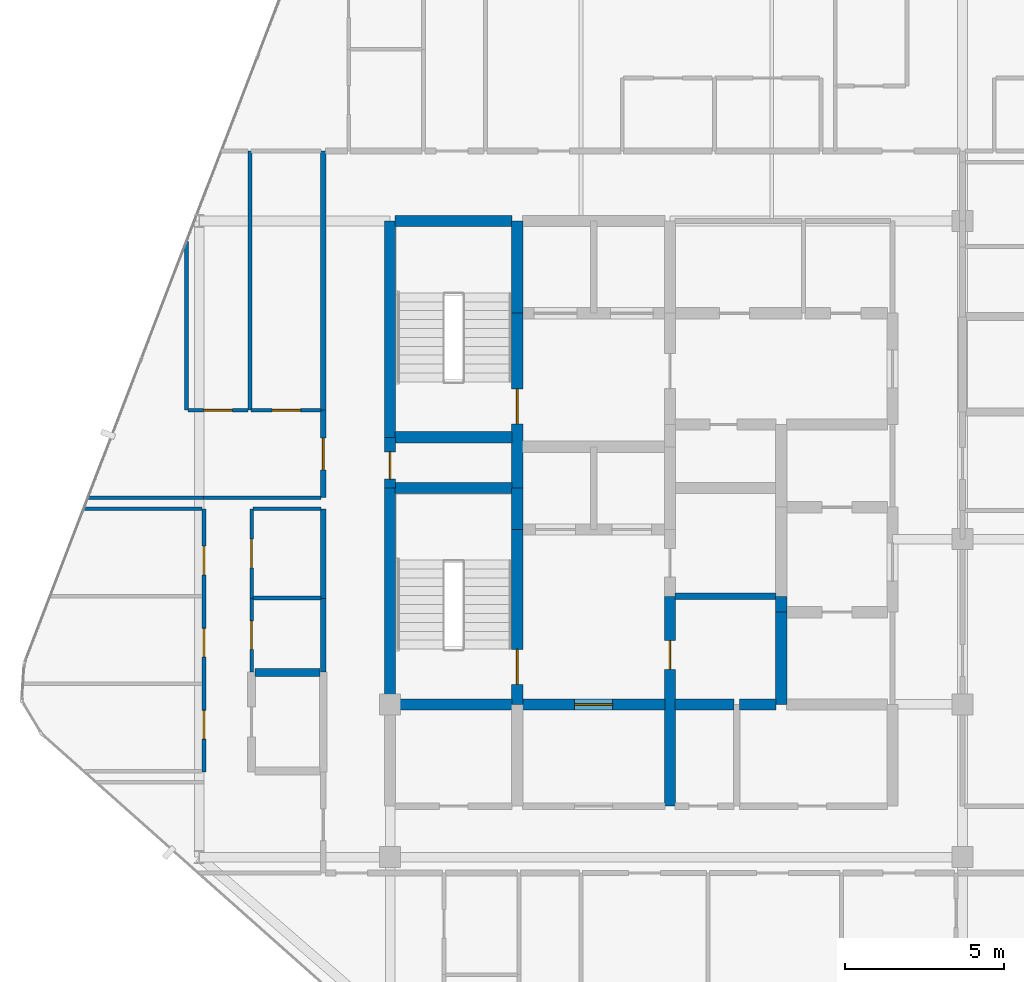
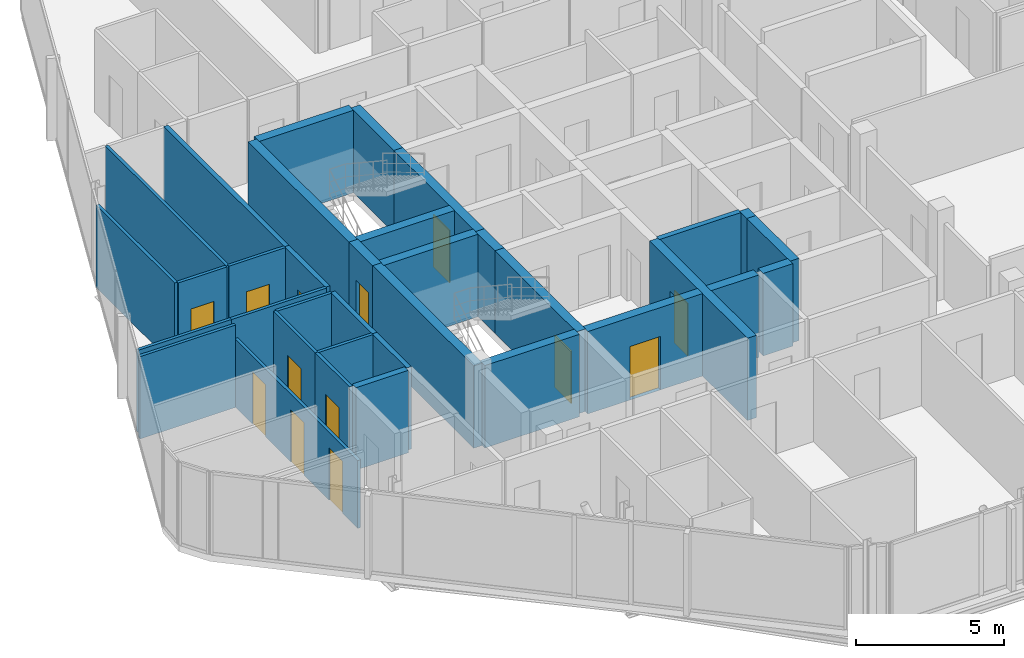
# One storey, part 23 of 28: 35 walls, 13 doors, 13 openings.
"""IFC4 building model written with IfcOpenShell, lengths in metres."""

from ifc_helpers import new_model, si_unit, direction, frame, frame_2d, origin, place, context, subcontext, project, spatial, rectangle, extrude, material, layer, layer_set, type_object, element, fill, save


model = new_model("IFC4")

# Units and contexts
model_context = context("Model", 3, precision=1e-05, world=origin(), true_north=direction((0.0, 1.0)))
body_context = subcontext(model_context, "Body", "Model", "MODEL_VIEW")
ifc_project = project(units=[si_unit("LENGTHUNIT", "METRE"), si_unit("AREAUNIT", "SQUARE_METRE"), si_unit("VOLUMEUNIT", "CUBIC_METRE"), si_unit("PLANEANGLEUNIT", "RADIAN"), si_unit("MASSUNIT", "GRAM", prefix="KILO")], contexts=[model_context])

# Site, building, storey
site_placement = place(None, origin())
site = spatial("IfcSite", under=ifc_project, at=site_placement, CompositionType="ELEMENT")
building_placement = place(site_placement, origin())
building = spatial("IfcBuilding", under=site, at=building_placement, Name="Keshet Zoharim Tower", CompositionType="ELEMENT")
storey_placement = place(building_placement, frame((0.0, 0.0, 303.60009765625)))
storey = spatial("IfcBuildingStorey", under=building, at=storey_placement, Name="L76", CompositionType="ELEMENT", Elevation=303.60009765625)

# Wall
ifc_material_1 = material(Name="Concrete C60/75", Category="concrete")
ifc_layer_1 = layer(ifc_material_1, 0.35009765625)
ifc_layer_set_1 = layer_set([ifc_layer_1], Name="Concrete C60/75")
wall_type_1 = type_object("IfcWallType", Name="WL-CORE-350", PredefinedType="SHEAR", material=ifc_layer_set_1)
wall_1_placement = place(storey_placement, frame((15.0, 22.699951171875, 0.0), z_axis=(0.0, 0.0, 1.0), x_axis=(0.0, 1.0, 0.0)))
element("IfcWall", 1, at=wall_1_placement, inside=storey, type_object=wall_type_1, Name="L76 Core Shear Wall 016", PredefinedType="SHEAR", context=body_context, shape_type="SweptSolid", body=[
    extrude(rectangle(XDim=6.800048828125, YDim=0.35009765625, at=frame_2d((3.39990234375, 0.0))), origin(), (0.0, 0.0, 1.0), 3.389892578125),
])

# Wall, opening, door
wall_2_placement = place(storey_placement, frame((15.0, 29.5, 0.0), z_axis=(0.0, 0.0, 1.0), x_axis=(0.0, 1.0, 0.0)))
wall_2 = element("IfcWall", 2, at=wall_2_placement, inside=storey, type_object=wall_type_1, Name="L76 Core Shear Wall 017", PredefinedType="SHEAR", context=body_context, shape_type="SweptSolid", body=[
    extrude(rectangle(XDim=1.60009765625, YDim=0.35009765625, at=frame_2d((0.800048828125, 0.0))), origin(), (0.0, 0.0, 1.0), 3.389892578125),
])
opening_1_placement = place(wall_2_placement, frame((0.287109375, 0.0, 0.0)))
opening_1 = element("IfcOpeningElement", 3, at=opening_1_placement, cuts=wall_2, Name="Opening D-RS85", PredefinedType="OPENING", context=body_context, shape_type="SweptSolid", body=[
    extrude(rectangle(XDim=0.85009765625, YDim=2.10009765625, at=frame_2d((0.425048828125, 1.050048828125))), frame((0.0, 0.18505859375, 0.0), z_axis=(0.0, -1.0, 0.0), x_axis=(1.0, 0.0, 0.0)), (0.0, 0.0, 1.0), 0.3701171875),
])
ifc_material_2 = material(Name="Hardwood Timber", Category="wood")
door_type_1 = type_object("IfcDoorType", Name="DR-RIS-085", OperationType="NOTDEFINED", PredefinedType="DOOR", material=ifc_material_2)
door_1_placement = place(opening_1_placement, origin())
door_1 = element("IfcDoor", 4, at=door_1_placement, inside=storey, type_object=door_type_1, Name="L76 Electrical Riser Access Cupboard Door", OperationType="SINGLE_SWING_LEFT", OverallHeight=2.10009765625, OverallWidth=0.85009765625, PredefinedType="DOOR", context=body_context, shape_type="SweptSolid", body=[
    extrude(rectangle(XDim=0.85009765625, YDim=2.10009765625, at=frame_2d((0.425048828125, 1.050048828125))), frame((0.0, 0.02490234375, 0.0), z_axis=(0.0, -1.0, 0.0), x_axis=(1.0, 0.0, 0.0)), (0.0, 0.0, 1.0), 0.050048828125),
])
fill(opening_1, door_1)

# Wall
wall_3_placement = place(storey_placement, frame((15.0, 31.10009765625, 0.0), z_axis=(0.0, 0.0, 1.0), x_axis=(0.0, 1.0, 0.0)))
element("IfcWall", 5, at=wall_3_placement, inside=storey, type_object=wall_type_1, Name="L76 Core Shear Wall 018", PredefinedType="SHEAR", context=body_context, shape_type="SweptSolid", body=[
    extrude(rectangle(XDim=6.7998046875, YDim=0.35009765625, at=frame_2d((3.39990234375, 0.0))), origin(), (0.0, 0.0, 1.0), 3.389892578125),
])

# Wall, opening, door
wall_4_placement = place(storey_placement, frame((19.0, 22.699951171875, 0.0), z_axis=(0.0, 0.0, 1.0), x_axis=(0.0, 1.0, 0.0)))
wall_4 = element("IfcWall", 6, at=wall_4_placement, inside=storey, type_object=wall_type_1, Name="L76 Core Shear Wall 025", PredefinedType="SHEAR", context=body_context, shape_type="SweptSolid", body=[
    extrude(rectangle(XDim=5.5, YDim=0.35009765625, at=frame_2d((2.75, 0.0))), origin(), (0.0, 0.0, 1.0), 3.389892578125),
])
opening_2_placement = place(wall_4_placement, frame((0.631103515625, 0.0, 0.0)))
opening_2 = element("IfcOpeningElement", 7, at=opening_2_placement, cuts=wall_4, Name="Opening D-F611", PredefinedType="OPENING", context=body_context, shape_type="SweptSolid", body=[
    extrude(rectangle(XDim=1.10009765625, YDim=2.14990234375, at=frame_2d((0.550048828125, 1.074951171875))), frame((0.0, 0.18505859375, 0.0), z_axis=(0.0, -1.0, 0.0), x_axis=(1.0, 0.0, 0.0)), (0.0, 0.0, 1.0), 0.3701171875),
])
door_type_2 = type_object("IfcDoorType", Name="DR-FD60-110", OperationType="NOTDEFINED", PredefinedType="DOOR", material=ifc_material_2)
door_2_placement = place(opening_2_placement, origin())
door_2 = element("IfcDoor", 8, at=door_2_placement, inside=storey, type_object=door_type_2, Name="L76 Exit Stair ST-01 Fire Door", OperationType="SINGLE_SWING_LEFT", OverallHeight=2.14990234375, OverallWidth=1.10009765625, PredefinedType="DOOR", context=body_context, shape_type="SweptSolid", body=[
    extrude(rectangle(XDim=1.10009765625, YDim=2.14990234375, at=frame_2d((0.550048828125, 1.074951171875))), frame((0.0, 0.02490234375, 0.0), z_axis=(0.0, -1.0, 0.0), x_axis=(1.0, 0.0, 0.0)), (0.0, 0.0, 1.0), 0.050048828125),
])
fill(opening_2, door_2)

# Wall
wall_5_placement = place(storey_placement, frame((19.0, 28.199951171875, 0.0), z_axis=(0.0, 0.0, 1.0), x_axis=(0.0, 1.0, 0.0)))
element("IfcWall", 9, at=wall_5_placement, inside=storey, type_object=wall_type_1, Name="L76 Core Shear Wall 026", PredefinedType="SHEAR", context=body_context, shape_type="SweptSolid", body=[
    extrude(rectangle(XDim=1.300048828125, YDim=0.35009765625, at=frame_2d((0.64990234375, 0.0))), origin(), (0.0, 0.0, 1.0), 3.389892578125),
])

# Wall, opening, door
wall_6_placement = place(storey_placement, frame((19.0, 29.5, 0.0), z_axis=(0.0, 0.0, 1.0), x_axis=(0.0, 1.0, 0.0)))
wall_6 = element("IfcWall", 10, at=wall_6_placement, inside=storey, type_object=wall_type_1, Name="L76 Core Shear Wall 027", PredefinedType="SHEAR", context=body_context, shape_type="SweptSolid", body=[
    extrude(rectangle(XDim=5.5, YDim=0.35009765625, at=frame_2d((2.75, 0.0))), origin(), (0.0, 0.0, 1.0), 3.389892578125),
])
opening_3_placement = place(wall_6_placement, frame((2.02490234375, 0.0, 0.0)))
opening_3 = element("IfcOpeningElement", 11, at=opening_3_placement, cuts=wall_6, Name="Opening D-F611", PredefinedType="OPENING", context=body_context, shape_type="SweptSolid", body=[
    extrude(rectangle(XDim=1.10009765625, YDim=2.14990234375, at=frame_2d((0.550048828125, 1.074951171875))), frame((0.0, 0.18505859375, 0.0), z_axis=(0.0, -1.0, 0.0), x_axis=(1.0, 0.0, 0.0)), (0.0, 0.0, 1.0), 0.3701171875),
])
door_3_placement = place(opening_3_placement, origin())
door_3 = element("IfcDoor", 12, at=door_3_placement, inside=storey, type_object=door_type_2, Name="L76 Exit Stair ST-02 Fire Door", OperationType="SINGLE_SWING_RIGHT", OverallHeight=2.14990234375, OverallWidth=1.10009765625, PredefinedType="DOOR", context=body_context, shape_type="SweptSolid", body=[
    extrude(rectangle(XDim=1.10009765625, YDim=2.14990234375, at=frame_2d((0.550048828125, 1.074951171875))), frame((0.0, 0.02490234375, 0.0), z_axis=(0.0, -1.0, 0.0), x_axis=(1.0, 0.0, 0.0)), (0.0, 0.0, 1.0), 0.050048828125),
])
fill(opening_3, door_3)

# Wall
wall_7_placement = place(storey_placement, frame((19.0, 35.0, 0.0), z_axis=(0.0, 0.0, 1.0), x_axis=(0.0, 1.0, 0.0)))
element("IfcWall", 13, at=wall_7_placement, inside=storey, type_object=wall_type_1, Name="L76 Core Shear Wall 028", PredefinedType="SHEAR", context=body_context, shape_type="SweptSolid", body=[
    extrude(rectangle(XDim=2.89990234375, YDim=0.35009765625, at=frame_2d((1.449951171875, 0.0))), origin(), (0.0, 0.0, 1.0), 3.389892578125),
])

# Wall, opening, door
wall_8_placement = place(storey_placement, frame((23.800048828125, 19.5, 0.0), z_axis=(0.0, 0.0, 1.0), x_axis=(0.0, 1.0, 0.0)))
wall_8 = element("IfcWall", 14, at=wall_8_placement, inside=storey, type_object=wall_type_1, Name="L76 Core Shear Wall 038", PredefinedType="SHEAR", context=body_context, shape_type="SweptSolid", body=[
    extrude(rectangle(XDim=6.60009765625, YDim=0.35009765625, at=frame_2d((3.300048828125, 0.0))), origin(), (0.0, 0.0, 1.0), 3.389892578125),
])
opening_4_placement = place(wall_8_placement, frame((4.303955078125, 0.0, 0.0)))
opening_4 = element("IfcOpeningElement", 15, at=opening_4_placement, cuts=wall_8, Name="Opening D-F690", PredefinedType="OPENING", context=body_context, shape_type="SweptSolid", body=[
    extrude(rectangle(XDim=0.89990234375, YDim=2.14990234375, at=frame_2d((0.449951171875, 1.074951171875))), frame((0.0, 0.18505859375, 0.0), z_axis=(0.0, -1.0, 0.0), x_axis=(1.0, 0.0, 0.0)), (0.0, 0.0, 1.0), 0.3701171875),
])
door_type_3 = type_object("IfcDoorType", Name="DR-FD60-090", OperationType="NOTDEFINED", PredefinedType="DOOR", material=ifc_material_2)
door_4_placement = place(opening_4_placement, origin())
door_4 = element("IfcDoor", 16, at=door_4_placement, inside=storey, type_object=door_type_3, Name="L76 Core Linen Store Door", OperationType="SINGLE_SWING_RIGHT", OverallHeight=2.14990234375, OverallWidth=0.89990234375, PredefinedType="DOOR", context=body_context, shape_type="SweptSolid", body=[
    extrude(rectangle(XDim=0.89990234375, YDim=2.14990234375, at=frame_2d((0.449951171875, 1.074951171875))), frame((0.0, 0.02490234375, 0.0), z_axis=(0.0, -1.0, 0.0), x_axis=(1.0, 0.0, 0.0)), (0.0, 0.0, 1.0), 0.050048828125),
])
fill(opening_4, door_4)

# Walls
wall_9_placement = place(storey_placement, frame((27.300048828125, 22.699951171875, 0.0), z_axis=(0.0, 0.0, 1.0), x_axis=(0.0, 1.0, 0.0)))
element("IfcWall", 17, at=wall_9_placement, inside=storey, type_object=wall_type_1, Name="L76 Core Shear Wall 048", PredefinedType="SHEAR", context=body_context, shape_type="SweptSolid", body=[
    extrude(rectangle(XDim=2.900146484375, YDim=0.35009765625, at=frame_2d((1.4501953125, 0.0))), origin(), (0.0, 0.0, 1.0), 3.389892578125),
])
wall_10_placement = place(storey_placement, frame((27.300048828125, 25.60009765625, 0.0), z_axis=(0.0, 0.0, 1.0), x_axis=(0.0, 1.0, 0.0)))
element("IfcWall", 18, at=wall_10_placement, inside=storey, type_object=wall_type_1, Name="L76 Core Shear Wall 049", PredefinedType="SHEAR", context=body_context, shape_type="SweptSolid", body=[
    extrude(rectangle(XDim=0.5, YDim=0.35009765625, at=frame_2d((0.25, 0.0))), origin(), (0.0, 0.0, 1.0), 3.389892578125),
])
wall_11_placement = place(storey_placement, frame((15.159912109375, 22.699951171875, 0.0), z_axis=(0.0, 0.0, 1.0), x_axis=(1.0, 0.0, 0.0)))
element("IfcWall", 19, at=wall_11_placement, inside=storey, type_object=wall_type_1, Name="L76 Core Shear Wall 119", PredefinedType="SHEAR", context=body_context, shape_type="SweptSolid", body=[
    extrude(rectangle(XDim=3.68017578125, YDim=0.35009765625, at=frame_2d((1.840087890625, 0.0))), origin(), (0.0, 0.0, 1.0), 3.389892578125),
])

# Wall, opening, door
wall_12_placement = place(storey_placement, frame((19.159912109375, 22.699951171875, 0.0), z_axis=(0.0, 0.0, 1.0), x_axis=(1.0, 0.0, 0.0)))
wall_12 = element("IfcWall", 20, at=wall_12_placement, inside=storey, type_object=wall_type_1, Name="L76 Core Shear Wall 120", PredefinedType="SHEAR", context=body_context, shape_type="SweptSolid", body=[
    extrude(rectangle(XDim=4.47998046875, YDim=0.35009765625, at=frame_2d((2.239990234375, 0.0))), origin(), (0.0, 0.0, 1.0), 3.389892578125),
])
opening_5_placement = place(wall_12_placement, frame((1.639892578125, 0.0, 0.0)))
opening_5 = element("IfcOpeningElement", 21, at=opening_5_placement, cuts=wall_12, Name="Opening D-F612", PredefinedType="OPENING", context=body_context, shape_type="SweptSolid", body=[
    extrude(rectangle(XDim=1.199951171875, YDim=2.199951171875, at=frame_2d((0.60009765625, 1.10009765625))), frame((0.0, 0.18505859375, 0.0), z_axis=(0.0, -1.0, 0.0), x_axis=(1.0, 0.0, 0.0)), (0.0, 0.0, 1.0), 0.3701171875),
])
door_type_4 = type_object("IfcDoorType", Name="DR-FD60-120", OperationType="NOTDEFINED", PredefinedType="DOOR", material=ifc_material_2)
door_5_placement = place(opening_5_placement, origin())
door_5 = element("IfcDoor", 22, at=door_5_placement, inside=storey, type_object=door_type_4, Name="L76 South Core Lobby Fire Door", OperationType="SINGLE_SWING_RIGHT", OverallHeight=2.199951171875, OverallWidth=1.199951171875, PredefinedType="DOOR", context=body_context, shape_type="SweptSolid", body=[
    extrude(rectangle(XDim=1.199951171875, YDim=2.199951171875, at=frame_2d((0.60009765625, 1.10009765625))), frame((0.0, 0.02490234375, 0.0), z_axis=(0.0, -1.0, 0.0), x_axis=(1.0, 0.0, 0.0)), (0.0, 0.0, 1.0), 0.050048828125),
])
fill(opening_5, door_5)

# Walls
wall_13_placement = place(storey_placement, frame((23.9599609375, 22.699951171875, 0.0), z_axis=(0.0, 0.0, 1.0), x_axis=(1.0, 0.0, 0.0)))
element("IfcWall", 23, at=wall_13_placement, inside=storey, type_object=wall_type_1, Name="L76 Core Shear Wall 121", PredefinedType="SHEAR", context=body_context, shape_type="SweptSolid", body=[
    extrude(rectangle(XDim=1.85498046875, YDim=0.35009765625, at=frame_2d((0.927490234375, 0.0))), origin(), (0.0, 0.0, 1.0), 3.389892578125),
])
wall_14_placement = place(storey_placement, frame((25.985107421875, 22.699951171875, 0.0), z_axis=(0.0, 0.0, 1.0), x_axis=(1.0, 0.0, 0.0)))
element("IfcWall", 24, at=wall_14_placement, inside=storey, type_object=wall_type_1, Name="L76 Core Shear Wall 122", PredefinedType="SHEAR", context=body_context, shape_type="SweptSolid", body=[
    extrude(rectangle(XDim=1.15478515625, YDim=0.35009765625, at=frame_2d((0.577392578125, 0.0))), origin(), (0.0, 0.0, 1.0), 3.389892578125),
])
for number, where, z_axis, x_axis, name in (
    (25, (15.159912109375, 29.5, 0.0), (0.0, 0.0, 1.0), (1.0, 0.0, 0.0), "L76 Core Shear Wall 137"),
    (26, (15.159912109375, 31.10009765625, 0.0), (0.0, 0.0, 1.0), (1.0, 0.0, 0.0), "L76 Core Shear Wall 140"),
    (27, (15.159912109375, 37.89990234375, 0.0), (0.0, 0.0, 1.0), (1.0, 0.0, 0.0), "L76 Core Shear Wall 154"),
):
    element("IfcWall", number, at=place(storey_placement, frame(where, z_axis=z_axis, x_axis=x_axis)), inside=storey, type_object=wall_type_1, Name=name, PredefinedType="SHEAR", context=body_context, shape_type="SweptSolid", body=[
        extrude(rectangle(XDim=3.68017578125, YDim=0.35009765625, at=frame_2d((1.840087890625, 0.0))), origin(), (0.0, 0.0, 1.0), 3.389892578125),
    ])
ifc_material_3 = material(Name="Gypsum Plasterboard", Category="gypsum")
ifc_layer_2 = layer(ifc_material_3, 0.179931640625)
ifc_layer_set_2 = layer_set([ifc_layer_2], Name="Gypsum Plasterboard")
wall_type_2 = type_object("IfcWallType", Name="WL-CORR-180", PredefinedType="STANDARD", material=ifc_layer_set_2)
wall_15_placement = place(storey_placement, frame((12.89990234375, 23.721923828125, 0.0), z_axis=(0.0, 0.0, 1.0), x_axis=(0.0, 1.0, 0.0)))
element("IfcWall", 28, at=wall_15_placement, inside=storey, type_object=wall_type_2, Name="L76 Interior Wall 009", PredefinedType="STANDARD", context=body_context, shape_type="SweptSolid", body=[
    extrude(rectangle(XDim=2.316162109375, YDim=0.179931640625, at=frame_2d((1.158203125, 0.0))), origin(), (0.0, 0.0, 1.0), 3.389892578125),
])
wall_16_placement = place(storey_placement, frame((12.89990234375, 26.0380859375, 0.0), z_axis=(0.0, 0.0, 1.0), x_axis=(0.0, 1.0, 0.0)))
element("IfcWall", 29, at=wall_16_placement, inside=storey, type_object=wall_type_2, Name="L76 Interior Wall 010", PredefinedType="STANDARD", context=body_context, shape_type="SweptSolid", body=[
    extrude(rectangle(XDim=2.81201171875, YDim=0.179931640625, at=frame_2d((1.406005859375, 0.0))), origin(), (0.0, 0.0, 1.0), 3.389892578125),
])

# Wall, opening, door
wall_17_placement = place(storey_placement, frame((12.89990234375, 29.199951171875, 0.0), z_axis=(0.0, 0.0, 1.0), x_axis=(0.0, 1.0, 0.0)))
wall_17 = element("IfcWall", 30, at=wall_17_placement, inside=storey, type_object=wall_type_2, Name="L76 Interior Wall 011", PredefinedType="STANDARD", context=body_context, shape_type="SweptSolid", body=[
    extrude(rectangle(XDim=2.75, YDim=0.179931640625, at=frame_2d((1.375, 0.0))), origin(), (0.0, 0.0, 1.0), 3.389892578125),
])
opening_6_placement = place(wall_17_placement, frame((0.875, 0.0, 0.0)))
opening_6 = element("IfcOpeningElement", 31, at=opening_6_placement, cuts=wall_17, Name="Opening D-F310", PredefinedType="OPENING", context=body_context, shape_type="SweptSolid", body=[
    extrude(rectangle(XDim=1.0, YDim=2.14990234375, at=frame_2d((0.5, 1.074951171875))), frame((0.0, 0.10009765625, 0.0), z_axis=(0.0, -1.0, 0.0), x_axis=(1.0, 0.0, 0.0)), (0.0, 0.0, 1.0), 0.199951171875),
])
door_type_5 = type_object("IfcDoorType", Name="DR-FD30-100", OperationType="NOTDEFINED", PredefinedType="DOOR", material=ifc_material_2)
door_6_placement = place(opening_6_placement, origin())
door_6 = element("IfcDoor", 32, at=door_6_placement, inside=storey, type_object=door_type_5, Name="Apartment 7608 Entrance Door", OperationType="SINGLE_SWING_RIGHT", OverallHeight=2.14990234375, OverallWidth=1.0, PredefinedType="DOOR", context=body_context, shape_type="SweptSolid", body=[
    extrude(rectangle(XDim=1.0, YDim=2.14990234375, at=frame_2d((0.5, 1.074951171875))), frame((0.0, 0.02490234375, 0.0), z_axis=(0.0, -1.0, 0.0), x_axis=(1.0, 0.0, 0.0)), (0.0, 0.0, 1.0), 0.050048828125),
])
fill(opening_6, door_6)

# Walls
wall_18_placement = place(storey_placement, frame((12.89990234375, 31.949951171875, 0.0), z_axis=(0.0, 0.0, 1.0), x_axis=(0.0, 1.0, 0.0)))
element("IfcWall", 33, at=wall_18_placement, inside=storey, type_object=wall_type_2, Name="L76 Interior Wall 012", PredefinedType="STANDARD", context=body_context, shape_type="SweptSolid", body=[
    extrude(rectangle(XDim=8.150146484375, YDim=0.179931640625, at=frame_2d((4.0751953125, 0.0))), origin(), (0.0, 0.0, 1.0), 3.389892578125),
])
ifc_material_4 = material(Name="Concrete C50/60", Category="concrete")
ifc_layer_3 = layer(ifc_material_4, 0.199951171875)
ifc_layer_set_3 = layer_set([ifc_layer_3], Name="Concrete C50/60")
wall_type_3 = type_object("IfcWallType", Name="WL-FIRE-200", PredefinedType="STANDARD", material=ifc_layer_set_3)
wall_19_placement = place(storey_placement, frame((23.9599609375, 26.10009765625, 0.0), z_axis=(0.0, 0.0, 1.0), x_axis=(1.0, 0.0, 0.0)))
element("IfcWall", 34, at=wall_19_placement, inside=storey, type_object=wall_type_3, Name="L76 Interior Wall 129", PredefinedType="STANDARD", context=body_context, shape_type="SweptSolid", body=[
    extrude(rectangle(XDim=3.179931640625, YDim=0.199951171875, at=frame_2d((1.58984375, 0.0))), origin(), (0.0, 0.0, 1.0), 3.389892578125),
])
ifc_layer_4 = layer(ifc_material_4, 0.25)
ifc_layer_set_4 = layer_set([ifc_layer_4], Name="Concrete C50/60")
wall_type_4 = type_object("IfcWallType", Name="WL-MAMAD-250", PredefinedType="STANDARD", material=ifc_layer_set_4)
wall_20_placement = place(storey_placement, frame((10.760009765625, 23.699951171875, 0.0), z_axis=(0.0, 0.0, 1.0), x_axis=(1.0, 0.0, 0.0)))
element("IfcWall", 35, at=wall_20_placement, inside=storey, type_object=wall_type_4, Name="L76 Interior Wall 125", PredefinedType="STANDARD", context=body_context, shape_type="SweptSolid", body=[
    extrude(rectangle(XDim=2.030029296875, YDim=0.25, at=frame_2d((1.01513671875, 0.0))), origin(), (0.0, 0.0, 1.0), 3.389892578125),
])
ifc_layer_5 = layer(ifc_material_3, 0.1201171875)
ifc_layer_set_5 = layer_set([ifc_layer_5], Name="Gypsum Plasterboard")
wall_type_5 = type_object("IfcWallType", Name="WL-PART-120", PredefinedType="PARTITIONING", material=ifc_layer_set_5)
wall_21_placement = place(storey_placement, frame((8.60009765625, 31.949951171875, 0.0), z_axis=(0.0, 0.0, 1.0), x_axis=(0.0, 1.0, 0.0)))
element("IfcWall", 36, at=wall_21_placement, inside=storey, type_object=wall_type_5, Name="L76 Interior Wall 001", PredefinedType="PARTITIONING", context=body_context, shape_type="SweptSolid", body=[
    extrude(rectangle(XDim=5.300048828125, YDim=0.1201171875, at=frame_2d((2.64990234375, 0.0))), origin(), (0.0, 0.0, 1.0), 3.389892578125),
])

# Wall, openings, doors
wall_22_placement = place(storey_placement, frame((9.14990234375, 20.580078125, 0.0), z_axis=(0.0, 0.0, 1.0), x_axis=(0.0, 1.0, 0.0)))
wall_22 = element("IfcWall", 37, at=wall_22_placement, inside=storey, type_object=wall_type_5, Name="L76 Interior Wall 002", PredefinedType="PARTITIONING", context=body_context, shape_type="SweptSolid", body=[
    extrude(rectangle(XDim=8.27001953125, YDim=0.1201171875, at=frame_2d((4.135009765625, 0.0))), origin(), (0.0, 0.0, 1.0), 2.789794921875),
])
opening_7_placement = place(wall_22_placement, frame((1.031005859375, 0.0, 0.0)))
opening_7 = element("IfcOpeningElement", 38, at=opening_7_placement, cuts=wall_22, Name="Opening D-IN90", PredefinedType="OPENING", context=body_context, shape_type="SweptSolid", body=[
    extrude(rectangle(XDim=0.89990234375, YDim=2.14990234375, at=frame_2d((0.449951171875, 1.074951171875))), frame((0.0, 0.070068359375, 0.0), z_axis=(0.0, -1.0, 0.0), x_axis=(1.0, 0.0, 0.0)), (0.0, 0.0, 1.0), 0.14013671875),
])
opening_8_placement = place(wall_22_placement, frame((3.611083984375, 0.0, 0.0)))
opening_8 = element("IfcOpeningElement", 39, at=opening_8_placement, cuts=wall_22, Name="Opening D-IN90", PredefinedType="OPENING", context=body_context, shape_type="SweptSolid", body=[
    extrude(rectangle(XDim=0.89990234375, YDim=2.14990234375, at=frame_2d((0.449951171875, 1.074951171875))), frame((0.0, 0.070068359375, 0.0), z_axis=(0.0, -1.0, 0.0), x_axis=(1.0, 0.0, 0.0)), (0.0, 0.0, 1.0), 0.14013671875),
])
opening_9_placement = place(wall_22_placement, frame((6.194091796875, 0.0, 0.0)))
opening_9 = element("IfcOpeningElement", 40, at=opening_9_placement, cuts=wall_22, Name="Opening D-IN90", PredefinedType="OPENING", context=body_context, shape_type="SweptSolid", body=[
    extrude(rectangle(XDim=0.89990234375, YDim=2.14990234375, at=frame_2d((0.449951171875, 1.074951171875))), frame((0.0, 0.070068359375, 0.0), z_axis=(0.0, -1.0, 0.0), x_axis=(1.0, 0.0, 0.0)), (0.0, 0.0, 1.0), 0.14013671875),
])
door_type_6 = type_object("IfcDoorType", Name="DR-INT-090", OperationType="NOTDEFINED", PredefinedType="DOOR", material=ifc_material_2)
door_7_placement = place(opening_7_placement, origin())
door_7 = element("IfcDoor", 41, at=door_7_placement, inside=storey, type_object=door_type_6, Name="Apartment 7607 Bedroom 1 Door", OperationType="SINGLE_SWING_LEFT", OverallHeight=2.14990234375, OverallWidth=0.89990234375, PredefinedType="DOOR", context=body_context, shape_type="SweptSolid", body=[
    extrude(rectangle(XDim=0.89990234375, YDim=2.14990234375, at=frame_2d((0.449951171875, 1.074951171875))), frame((0.0, 0.02490234375, 0.0), z_axis=(0.0, -1.0, 0.0), x_axis=(1.0, 0.0, 0.0)), (0.0, 0.0, 1.0), 0.050048828125),
])
fill(opening_7, door_7)
door_8_placement = place(opening_8_placement, origin())
door_8 = element("IfcDoor", 42, at=door_8_placement, inside=storey, type_object=door_type_6, Name="Apartment 7607 Bedroom 2 Door", OperationType="SINGLE_SWING_RIGHT", OverallHeight=2.14990234375, OverallWidth=0.89990234375, PredefinedType="DOOR", context=body_context, shape_type="SweptSolid", body=[
    extrude(rectangle(XDim=0.89990234375, YDim=2.14990234375, at=frame_2d((0.449951171875, 1.074951171875))), frame((0.0, 0.02490234375, 0.0), z_axis=(0.0, -1.0, 0.0), x_axis=(1.0, 0.0, 0.0)), (0.0, 0.0, 1.0), 0.050048828125),
])
fill(opening_8, door_8)
door_9_placement = place(opening_9_placement, origin())
door_9 = element("IfcDoor", 43, at=door_9_placement, inside=storey, type_object=door_type_6, Name="Apartment 7607 Bedroom 3 Door", OperationType="SINGLE_SWING_LEFT", OverallHeight=2.14990234375, OverallWidth=0.89990234375, PredefinedType="DOOR", context=body_context, shape_type="SweptSolid", body=[
    extrude(rectangle(XDim=0.89990234375, YDim=2.14990234375, at=frame_2d((0.449951171875, 1.074951171875))), frame((0.0, 0.02490234375, 0.0), z_axis=(0.0, -1.0, 0.0), x_axis=(1.0, 0.0, 0.0)), (0.0, 0.0, 1.0), 0.050048828125),
])
fill(opening_9, door_9)

# Wall, opening, door
wall_23_placement = place(storey_placement, frame((10.64990234375, 26.0380859375, 0.0), z_axis=(0.0, 0.0, 1.0), x_axis=(0.0, 1.0, 0.0)))
wall_23 = element("IfcWall", 44, at=wall_23_placement, inside=storey, type_object=wall_type_5, Name="L76 Interior Wall 006", PredefinedType="PARTITIONING", context=body_context, shape_type="SweptSolid", body=[
    extrude(rectangle(XDim=2.81201171875, YDim=0.1201171875, at=frame_2d((1.406005859375, 0.0))), origin(), (0.0, 0.0, 1.0), 3.389892578125),
])
opening_10_placement = place(wall_23_placement, frame((0.9560546875, 0.0, 0.0)))
opening_10 = element("IfcOpeningElement", 45, at=opening_10_placement, cuts=wall_23, Name="Opening D-IN90", PredefinedType="OPENING", context=body_context, shape_type="SweptSolid", body=[
    extrude(rectangle(XDim=0.89990234375, YDim=2.14990234375, at=frame_2d((0.449951171875, 1.074951171875))), frame((0.0, 0.070068359375, 0.0), z_axis=(0.0, -1.0, 0.0), x_axis=(1.0, 0.0, 0.0)), (0.0, 0.0, 1.0), 0.14013671875),
])
door_10_placement = place(opening_10_placement, origin())
door_10 = element("IfcDoor", 46, at=door_10_placement, inside=storey, type_object=door_type_6, Name="Apartment 7607 Kitchen Door", OperationType="SINGLE_SWING_RIGHT", OverallHeight=2.14990234375, OverallWidth=0.89990234375, PredefinedType="DOOR", context=body_context, shape_type="SweptSolid", body=[
    extrude(rectangle(XDim=0.89990234375, YDim=2.14990234375, at=frame_2d((0.449951171875, 1.074951171875))), frame((0.0, 0.02490234375, 0.0), z_axis=(0.0, -1.0, 0.0), x_axis=(1.0, 0.0, 0.0)), (0.0, 0.0, 1.0), 0.050048828125),
])
fill(opening_10, door_10)

# Walls
wall_24_placement = place(storey_placement, frame((5.375, 28.85009765625, 0.0), z_axis=(0.0, 0.0, 1.0), x_axis=(1.0, 0.0, 0.0)))
element("IfcWall", 47, at=wall_24_placement, inside=storey, type_object=wall_type_5, Name="L76 Interior Wall 132", PredefinedType="PARTITIONING", context=body_context, shape_type="SweptSolid", body=[
    extrude(rectangle(XDim=3.7099609375, YDim=0.1201171875, at=frame_2d((1.85498046875, 0.0))), origin(), (0.0, 0.0, 1.0), 3.389892578125),
])
wall_25_placement = place(storey_placement, frame((10.695068359375, 28.85009765625, 0.0), z_axis=(0.0, 0.0, 1.0), x_axis=(1.0, 0.0, 0.0)))
element("IfcWall", 48, at=wall_25_placement, inside=storey, type_object=wall_type_5, Name="L76 Interior Wall 133", PredefinedType="PARTITIONING", context=body_context, shape_type="SweptSolid", body=[
    extrude(rectangle(XDim=2.1298828125, YDim=0.1201171875, at=frame_2d((1.06494140625, 0.0))), origin(), (0.0, 0.0, 1.0), 3.389892578125),
])
wall_26_placement = place(storey_placement, frame((5.510009765625, 29.199951171875, 0.0), z_axis=(0.0, 0.0, 1.0), x_axis=(1.0, 0.0, 0.0)))
element("IfcWall", 49, at=wall_26_placement, inside=storey, type_object=wall_type_5, Name="L76 Interior Wall 135", PredefinedType="PARTITIONING", context=body_context, shape_type="SweptSolid", body=[
    extrude(rectangle(XDim=3.619873046875, YDim=0.1201171875, at=frame_2d((1.81005859375, 0.0))), origin(), (0.0, 0.0, 1.0), 3.389892578125),
])
wall_27_placement = place(storey_placement, frame((9.1298828125, 29.199951171875, 0.0), z_axis=(0.0, 0.0, 1.0), x_axis=(1.0, 0.0, 0.0)))
element("IfcWall", 50, at=wall_27_placement, inside=storey, type_object=wall_type_5, Name="L76 Interior Wall 136", PredefinedType="PARTITIONING", context=body_context, shape_type="SweptSolid", body=[
    extrude(rectangle(XDim=3.695068359375, YDim=0.1201171875, at=frame_2d((1.84765625, 0.0))), origin(), (0.0, 0.0, 1.0), 3.389892578125),
])

# Wall, opening, door
wall_28_placement = place(storey_placement, frame((8.64501953125, 31.949951171875, 0.0), z_axis=(0.0, 0.0, 1.0), x_axis=(1.0, 0.0, 0.0)))
wall_28 = element("IfcWall", 51, at=wall_28_placement, inside=storey, type_object=wall_type_5, Name="L76 Interior Wall 146", PredefinedType="PARTITIONING", context=body_context, shape_type="SweptSolid", body=[
    extrude(rectangle(XDim=1.887939453125, YDim=0.1201171875, at=frame_2d((0.94384765625, 0.0))), origin(), (0.0, 0.0, 1.0), 3.389892578125),
])
opening_11_placement = place(wall_28_placement, frame((0.493896484375, 0.0, 0.0)))
opening_11 = element("IfcOpeningElement", 52, at=opening_11_placement, cuts=wall_28, Name="Opening D-IN90", PredefinedType="OPENING", context=body_context, shape_type="SweptSolid", body=[
    extrude(rectangle(XDim=0.89990234375, YDim=2.14990234375, at=frame_2d((0.449951171875, 1.074951171875))), frame((0.0, 0.070068359375, 0.0), z_axis=(0.0, -1.0, 0.0), x_axis=(1.0, 0.0, 0.0)), (0.0, 0.0, 1.0), 0.14013671875),
])
door_11_placement = place(opening_11_placement, origin())
door_11 = element("IfcDoor", 53, at=door_11_placement, inside=storey, type_object=door_type_6, Name="Apartment 7608 Kitchen Door", OperationType="SINGLE_SWING_RIGHT", OverallHeight=2.14990234375, OverallWidth=0.89990234375, PredefinedType="DOOR", context=body_context, shape_type="SweptSolid", body=[
    extrude(rectangle(XDim=0.89990234375, YDim=2.14990234375, at=frame_2d((0.449951171875, 1.074951171875))), frame((0.0, 0.02490234375, 0.0), z_axis=(0.0, -1.0, 0.0), x_axis=(1.0, 0.0, 0.0)), (0.0, 0.0, 1.0), 0.050048828125),
])
fill(opening_11, door_11)

# Wall
ifc_layer_6 = layer(ifc_material_3, 0.1201171875)
ifc_layer_set_6 = layer_set([ifc_layer_6], Name="Gypsum Plasterboard")
wall_type_6 = type_object("IfcWallType", Name="WL-WET-120", PredefinedType="PARTITIONING", material=ifc_layer_set_6)
wall_29_placement = place(storey_placement, frame((10.60009765625, 31.949951171875, 0.0), z_axis=(0.0, 0.0, 1.0), x_axis=(0.0, 1.0, 0.0)))
element("IfcWall", 54, at=wall_29_placement, inside=storey, type_object=wall_type_6, Name="L76 Interior Wall 003", PredefinedType="PARTITIONING", context=body_context, shape_type="SweptSolid", body=[
    extrude(rectangle(XDim=8.150146484375, YDim=0.1201171875, at=frame_2d((4.0751953125, 0.0))), origin(), (0.0, 0.0, 1.0), 3.389892578125),
])

# Wall, opening, door
wall_30_placement = place(storey_placement, frame((10.64990234375, 23.721923828125, 0.0), z_axis=(0.0, 0.0, 1.0), x_axis=(0.0, 1.0, 0.0)))
wall_30 = element("IfcWall", 55, at=wall_30_placement, inside=storey, type_object=wall_type_6, Name="L76 Interior Wall 005", PredefinedType="PARTITIONING", context=body_context, shape_type="SweptSolid", body=[
    extrude(rectangle(XDim=2.316162109375, YDim=0.1201171875, at=frame_2d((1.158203125, 0.0))), origin(), (0.0, 0.0, 1.0), 3.389892578125),
])
opening_12_placement = place(wall_30_placement, frame((0.7080078125, 0.0, 0.0)))
opening_12 = element("IfcOpeningElement", 56, at=opening_12_placement, cuts=wall_30, Name="Opening D-WT90", PredefinedType="OPENING", context=body_context, shape_type="SweptSolid", body=[
    extrude(rectangle(XDim=0.89990234375, YDim=2.10009765625, at=frame_2d((0.449951171875, 1.050048828125))), frame((0.0, 0.070068359375, 0.0), z_axis=(0.0, -1.0, 0.0), x_axis=(1.0, 0.0, 0.0)), (0.0, 0.0, 1.0), 0.14013671875),
])
door_type_7 = type_object("IfcDoorType", Name="DR-WET-090", OperationType="NOTDEFINED", PredefinedType="DOOR", material=ifc_material_2)
door_12_placement = place(opening_12_placement, origin())
door_12 = element("IfcDoor", 57, at=door_12_placement, inside=storey, type_object=door_type_7, Name="Apartment 7607 Bathroom Door", OperationType="SINGLE_SWING_LEFT", OverallHeight=2.10009765625, OverallWidth=0.89990234375, PredefinedType="DOOR", context=body_context, shape_type="SweptSolid", body=[
    extrude(rectangle(XDim=0.89990234375, YDim=2.10009765625, at=frame_2d((0.449951171875, 1.050048828125))), frame((0.0, 0.02490234375, 0.0), z_axis=(0.0, -1.0, 0.0), x_axis=(1.0, 0.0, 0.0)), (0.0, 0.0, 1.0), 0.050048828125),
])
fill(opening_12, door_12)

# Wall
wall_31_placement = place(storey_placement, frame((10.695068359375, 26.050048828125, 0.0), z_axis=(0.0, 0.0, 1.0), x_axis=(1.0, 0.0, 0.0)))
element("IfcWall", 58, at=wall_31_placement, inside=storey, type_object=wall_type_6, Name="L76 Interior Wall 127", PredefinedType="PARTITIONING", context=body_context, shape_type="SweptSolid", body=[
    extrude(rectangle(XDim=2.1298828125, YDim=0.1201171875, at=frame_2d((1.06494140625, 0.0))), origin(), (0.0, 0.0, 1.0), 3.389892578125),
])

# Wall, opening, door
wall_32_placement = place(storey_placement, frame((10.623046875, 31.949951171875, 0.0), z_axis=(0.0, 0.0, 1.0), x_axis=(1.0, 0.0, 0.0)))
wall_32 = element("IfcWall", 59, at=wall_32_placement, inside=storey, type_object=wall_type_6, Name="L76 Interior Wall 147", PredefinedType="PARTITIONING", context=body_context, shape_type="SweptSolid", body=[
    extrude(rectangle(XDim=2.201904296875, YDim=0.1201171875, at=frame_2d((1.10107421875, 0.0))), origin(), (0.0, 0.0, 1.0), 3.389892578125),
])
opening_13_placement = place(wall_32_placement, frame((0.666015625, 0.0, 0.0)))
opening_13 = element("IfcOpeningElement", 60, at=opening_13_placement, cuts=wall_32, Name="Opening D-WT90", PredefinedType="OPENING", context=body_context, shape_type="SweptSolid", body=[
    extrude(rectangle(XDim=0.89990234375, YDim=2.10009765625, at=frame_2d((0.449951171875, 1.050048828125))), frame((0.0, 0.070068359375, 0.0), z_axis=(0.0, -1.0, 0.0), x_axis=(1.0, 0.0, 0.0)), (0.0, 0.0, 1.0), 0.14013671875),
])
door_13_placement = place(opening_13_placement, origin())
door_13 = element("IfcDoor", 61, at=door_13_placement, inside=storey, type_object=door_type_7, Name="Apartment 7608 Bathroom Door", OperationType="SINGLE_SWING_LEFT", OverallHeight=2.10009765625, OverallWidth=0.89990234375, PredefinedType="DOOR", context=body_context, shape_type="SweptSolid", body=[
    extrude(rectangle(XDim=0.89990234375, YDim=2.10009765625, at=frame_2d((0.449951171875, 1.050048828125))), frame((0.0, 0.02490234375, 0.0), z_axis=(0.0, -1.0, 0.0), x_axis=(1.0, 0.0, 0.0)), (0.0, 0.0, 1.0), 0.050048828125),
])
fill(opening_13, door_13)

save(model, "model.ifc")
